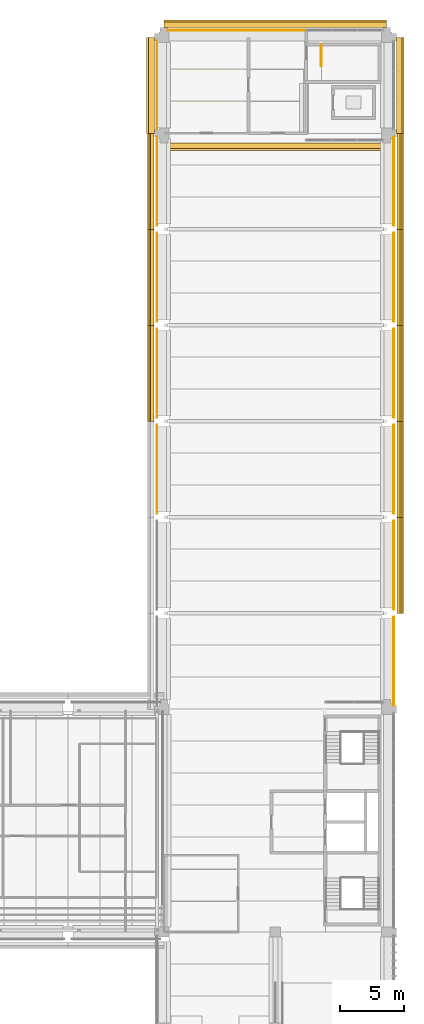
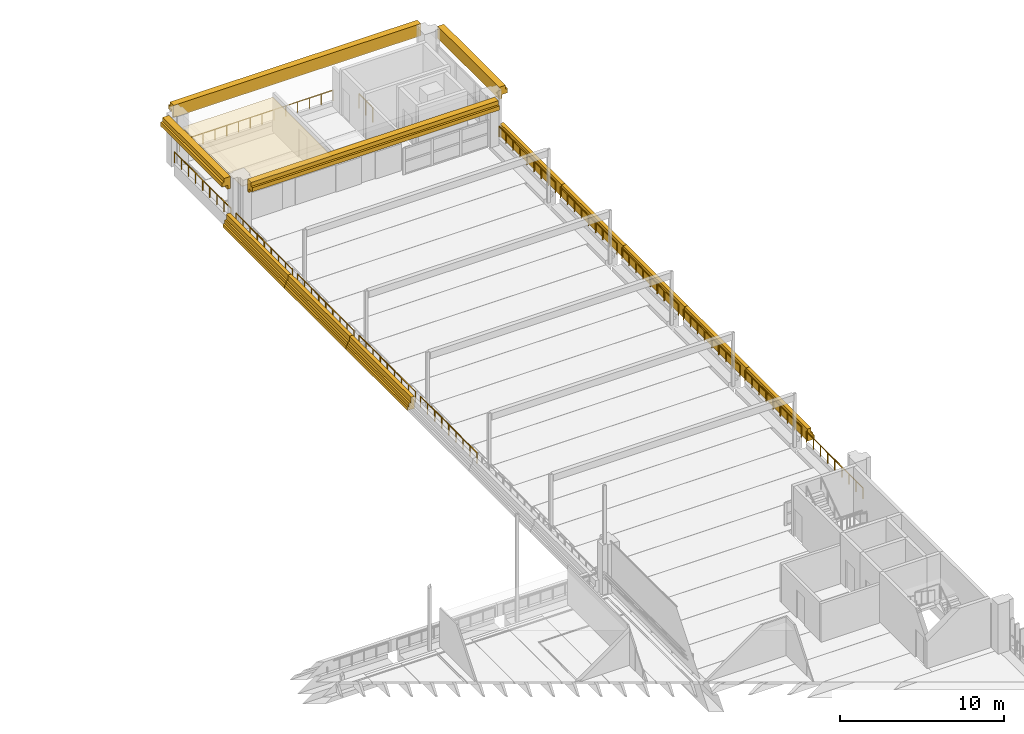
# One storey, part 58 of 62: 13 coverings, 13 railings.
"""IFC4 building model written with IfcOpenShell, lengths in metres."""

from ifc_helpers import new_model, si_unit, direction, frame, origin, origin_2d, place, context, subcontext, project, spatial, polyline, circle, outline, extrude, material, layer, layer_set, type_object, element, save


model = new_model("IFC4")

# Units and contexts
model_context = context("Model", 3, precision=1e-05, world=origin(), true_north=direction((0.0, 1.0)))
body_context = subcontext(model_context, "Body", "Model", "MODEL_VIEW")
ifc_project = project(units=[si_unit("LENGTHUNIT", "METRE"), si_unit("AREAUNIT", "SQUARE_METRE"), si_unit("VOLUMEUNIT", "CUBIC_METRE"), si_unit("PLANEANGLEUNIT", "RADIAN"), si_unit("MASSUNIT", "GRAM", prefix="KILO")], contexts=[model_context])

# Site, building, storey
site_placement = place(None, origin())
site = spatial("IfcSite", under=ifc_project, at=site_placement, CompositionType="ELEMENT")
building_placement = place(site_placement, origin())
building = spatial("IfcBuilding", under=site, at=building_placement, Name="Cour d'Honneur Mobility Palace", CompositionType="ELEMENT")
storey_placement = place(building_placement, frame((0.0, 0.0, 19.300048828125)))
storey = spatial("IfcBuildingStorey", under=building, at=storey_placement, Name="L05", CompositionType="ELEMENT", Elevation=19.300048828125)

# Railings
ifc_material_1 = material(Name="Painted steel", Category="steel")
railing_type_1 = type_object("IfcRailingType", Name="Balustrade", PredefinedType="BALUSTRADE", material=ifc_material_1)
for number, where, name in (
    (1, (162.85009765625, 62.699951171875, 0.300048828125), "Balustrade BAL-293"),
    (2, (162.85009765625, 70.199951171875, 0.300048828125), "Balustrade BAL-294"),
    (3, (162.85009765625, 77.699951171875, 0.300048828125), "Balustrade BAL-295"),
    (4, (162.85009765625, 85.199951171875, 0.300048828125), "Balustrade BAL-296"),
    (5, (162.85009765625, 92.699951171875, 0.300048828125), "Balustrade BAL-297"),
    (6, (162.85009765625, 100.199951171875, 0.300048828125), "Balustrade BAL-298"),
):
    element("IfcRailing", number, at=place(storey_placement, frame(where)), inside=storey, type_object=railing_type_1, Name=name, PredefinedType="BALUSTRADE", context=body_context, shape_type="SweptSolid", body=[
        extrude(circle(Radius=0.02392578125, at=origin_2d()), frame((0.0, 0.0, 0.77587890625), z_axis=(0.0, 1.0, 0.0), x_axis=(-1.0, 0.0, 0.0)), (0.0, 0.0, 1.0), 6.900146484375),
        extrude(circle(Radius=0.02099609375, at=origin_2d()), origin(), (0.0, 0.0, 1.0), 0.751953125),
        extrude(circle(Radius=0.02099609375, at=origin_2d()), frame((0.0, 0.862548828125, 0.0)), (0.0, 0.0, 1.0), 0.751953125),
        extrude(circle(Radius=0.02099609375, at=origin_2d()), frame((0.0, 1.72509765625, 0.0)), (0.0, 0.0, 1.0), 0.751953125),
        extrude(circle(Radius=0.02099609375, at=origin_2d()), frame((0.0, 2.587646484375, 0.0)), (0.0, 0.0, 1.0), 0.751953125),
        extrude(circle(Radius=0.02099609375, at=origin_2d()), frame((0.0, 3.4501953125, 0.0)), (0.0, 0.0, 1.0), 0.751953125),
        extrude(circle(Radius=0.02099609375, at=origin_2d()), frame((0.0, 4.3125, 0.0)), (0.0, 0.0, 1.0), 0.751953125),
        extrude(circle(Radius=0.02099609375, at=origin_2d()), frame((0.0, 5.175048828125, 0.0)), (0.0, 0.0, 1.0), 0.751953125),
        extrude(circle(Radius=0.02099609375, at=origin_2d()), frame((0.0, 6.03759765625, 0.0)), (0.0, 0.0, 1.0), 0.751953125),
        extrude(circle(Radius=0.02099609375, at=origin_2d()), frame((0.0, 6.900146484375, 0.0)), (0.0, 0.0, 1.0), 0.751953125),
    ])
railing_1_placement = place(storey_placement, frame((156.0, 115.449951171875, 0.300048828125)))
element("IfcRailing", 7, at=railing_1_placement, inside=storey, type_object=railing_type_1, Name="Balustrade BAL-299", PredefinedType="BALUSTRADE", context=body_context, shape_type="SweptSolid", body=[
    extrude(circle(Radius=0.02392578125, at=origin_2d()), frame((0.0, 0.0, 0.77587890625), z_axis=(-1.0, 0.0, 0.0), x_axis=(0.0, -1.0, 0.0)), (0.0, 0.0, 1.0), 10.800048828125),
    extrude(circle(Radius=0.02099609375, at=origin_2d()), origin(), (0.0, 0.0, 1.0), 0.751953125),
    extrude(circle(Radius=0.02099609375, at=origin_2d()), frame((-0.830810546875, 0.0, 0.0)), (0.0, 0.0, 1.0), 0.751953125),
    extrude(circle(Radius=0.02099609375, at=origin_2d()), frame((-1.66162109375, 0.0, 0.0)), (0.0, 0.0, 1.0), 0.751953125),
    extrude(circle(Radius=0.02099609375, at=origin_2d()), frame((-2.492431640625, 0.0, 0.0)), (0.0, 0.0, 1.0), 0.751953125),
    extrude(circle(Radius=0.02099609375, at=origin_2d()), frame((-3.322998046875, 0.0, 0.0)), (0.0, 0.0, 1.0), 0.751953125),
    extrude(circle(Radius=0.02099609375, at=origin_2d()), frame((-4.15380859375, 0.0, 0.0)), (0.0, 0.0, 1.0), 0.751953125),
    extrude(circle(Radius=0.02099609375, at=origin_2d()), frame((-4.984619140625, 0.0, 0.0)), (0.0, 0.0, 1.0), 0.751953125),
    extrude(circle(Radius=0.02099609375, at=origin_2d()), frame((-5.8154296875, 0.0, 0.0)), (0.0, 0.0, 1.0), 0.751953125),
    extrude(circle(Radius=0.02099609375, at=origin_2d()), frame((-6.646240234375, 0.0, 0.0)), (0.0, 0.0, 1.0), 0.751953125),
    extrude(circle(Radius=0.02099609375, at=origin_2d()), frame((-7.47705078125, 0.0, 0.0)), (0.0, 0.0, 1.0), 0.751953125),
    extrude(circle(Radius=0.02099609375, at=origin_2d()), frame((-8.3076171875, 0.0, 0.0)), (0.0, 0.0, 1.0), 0.751953125),
    extrude(circle(Radius=0.02099609375, at=origin_2d()), frame((-9.138427734375, 0.0, 0.0)), (0.0, 0.0, 1.0), 0.751953125),
    extrude(circle(Radius=0.02099609375, at=origin_2d()), frame((-9.96923828125, 0.0, 0.0)), (0.0, 0.0, 1.0), 0.751953125),
    extrude(circle(Radius=0.02099609375, at=origin_2d()), frame((-10.800048828125, 0.0, 0.0)), (0.0, 0.0, 1.0), 0.751953125),
])
for number, where, name in (
    (8, (144.35009765625, 114.60009765625, 0.300048828125), "Balustrade BAL-300"),
    (9, (144.35009765625, 107.10009765625, 0.300048828125), "Balustrade BAL-301"),
    (10, (144.35009765625, 99.60009765625, 0.300048828125), "Balustrade BAL-302"),
    (11, (144.35009765625, 92.10009765625, 0.300048828125), "Balustrade BAL-303"),
    (12, (144.35009765625, 84.60009765625, 0.300048828125), "Balustrade BAL-304"),
):
    element("IfcRailing", number, at=place(storey_placement, frame(where)), inside=storey, type_object=railing_type_1, Name=name, PredefinedType="BALUSTRADE", context=body_context, shape_type="SweptSolid", body=[
        extrude(circle(Radius=0.02392578125, at=origin_2d()), frame((0.0, 0.0, 0.77587890625), z_axis=(0.0, -1.0, 0.0), x_axis=(1.0, 0.0, 0.0)), (0.0, 0.0, 1.0), 6.900146484375),
        extrude(circle(Radius=0.02099609375, at=origin_2d()), origin(), (0.0, 0.0, 1.0), 0.751953125),
        extrude(circle(Radius=0.02099609375, at=origin_2d()), frame((0.0, -0.862548828125, 0.0)), (0.0, 0.0, 1.0), 0.751953125),
        extrude(circle(Radius=0.02099609375, at=origin_2d()), frame((0.0, -1.72509765625, 0.0)), (0.0, 0.0, 1.0), 0.751953125),
        extrude(circle(Radius=0.02099609375, at=origin_2d()), frame((0.0, -2.587646484375, 0.0)), (0.0, 0.0, 1.0), 0.751953125),
        extrude(circle(Radius=0.02099609375, at=origin_2d()), frame((0.0, -3.4501953125, 0.0)), (0.0, 0.0, 1.0), 0.751953125),
        extrude(circle(Radius=0.02099609375, at=origin_2d()), frame((0.0, -4.3125, 0.0)), (0.0, 0.0, 1.0), 0.751953125),
        extrude(circle(Radius=0.02099609375, at=origin_2d()), frame((0.0, -5.175048828125, 0.0)), (0.0, 0.0, 1.0), 0.751953125),
        extrude(circle(Radius=0.02099609375, at=origin_2d()), frame((0.0, -6.03759765625, 0.0)), (0.0, 0.0, 1.0), 0.751953125),
        extrude(circle(Radius=0.02099609375, at=origin_2d()), frame((0.0, -6.900146484375, 0.0)), (0.0, 0.0, 1.0), 0.751953125),
    ])

# Coverings
ifc_material_2 = material(Name="Cast limestone", Category="masonry")
ifc_layer_1 = layer(ifc_material_2, 0.5)
ifc_layer_set_1 = layer_set([ifc_layer_1], Name="Cast limestone")
covering_type_1 = type_object("IfcCoveringType", Name="Crown cornice", PredefinedType="CLADDING", material=ifc_layer_set_1)
for number, where, z_axis, x_axis, name in (
    (13, (163.10009765625, 69.89990234375, 0.099853515625), (0.0, -1.0, 0.0), (1.0, 0.0, 0.0), "Crown cornice CN-14"),
    (14, (163.10009765625, 77.39990234375, 0.099853515625), (0.0, -1.0, 0.0), (1.0, 0.0, 0.0), "Crown cornice CN-15"),
    (15, (163.10009765625, 84.89990234375, 0.099853515625), (0.0, -1.0, 0.0), (1.0, 0.0, 0.0), "Crown cornice CN-16"),
    (16, (163.10009765625, 92.39990234375, 0.099853515625), (0.0, -1.0, 0.0), (1.0, 0.0, 0.0), "Crown cornice CN-17"),
    (17, (163.10009765625, 99.89990234375, 0.099853515625), (0.0, -1.0, 0.0), (1.0, 0.0, 0.0), "Crown cornice CN-18"),
):
    element("IfcCovering", number, at=place(storey_placement, frame(where, z_axis=z_axis, x_axis=x_axis)), inside=storey, type_object=covering_type_1, Name=name, PredefinedType="CLADDING", context=body_context, shape_type="SweptSolid", body=[
        extrude(outline(polyline([(0.0, 0.0), (0.5, 0.0), (0.5, 0.25), (0.3798828125, 0.25), (0.3798828125, 0.5), (0.25, 0.5), (0.25, 0.900146484375), (0.0, 0.900146484375), (0.0, 0.0)])), origin(), (0.0, 0.0, -1.0), 7.5),
    ])
for number, where, z_axis, x_axis, name in (
    (18, (144.10009765625, 107.39990234375, 0.099853515625), (0.0, 1.0, 0.0), (-1.0, 0.0, 0.0), "Crown cornice CN-19"),
    (19, (144.10009765625, 99.89990234375, 0.099853515625), (0.0, 1.0, 0.0), (-1.0, 0.0, 0.0), "Crown cornice CN-20"),
    (20, (144.10009765625, 92.39990234375, 0.099853515625), (0.0, 1.0, 0.0), (-1.0, 0.0, 0.0), "Crown cornice CN-21"),
):
    element("IfcCovering", number, at=place(storey_placement, frame(where, z_axis=z_axis, x_axis=x_axis)), inside=storey, type_object=covering_type_1, Name=name, PredefinedType="CLADDING", context=body_context, shape_type="SweptSolid", body=[
        extrude(outline(polyline([(0.0, 0.0), (0.5, 0.0), (0.5, 0.25), (0.380126953125, 0.25), (0.380126953125, 0.5), (0.25, 0.5), (0.25, 0.900146484375), (0.0, 0.900146484375), (0.0, 0.0)])), origin(), (0.0, 0.0, -1.0), 7.5),
    ])
covering_1_placement = place(storey_placement, frame((162.300048828125, 115.64990234375, 2.800048828125), z_axis=(1.0, 0.0, 0.0), x_axis=(0.0, 1.0, 0.0)))
element("IfcCovering", 21, at=covering_1_placement, inside=storey, type_object=covering_type_1, Name="Crown cornice CN-60", PredefinedType="CLADDING", context=body_context, shape_type="SweptSolid", body=[
    extrude(outline(polyline([(0.0, 0.0), (0.2001953125, 0.0), (0.2001953125, 0.2998046875), (0.60009765625, 0.2998046875), (0.60009765625, 0.599853515625), (0.4501953125, 0.599853515625), (0.4501953125, 0.89990234375), (0.0, 0.89990234375), (0.0, 0.0)])), origin(), (0.0, 0.0, -1.0), 17.39990234375),
])
covering_2_placement = place(storey_placement, frame((144.14990234375, 114.89990234375, 2.800048828125), z_axis=(0.0, 1.0, 0.0), x_axis=(-1.0, 0.0, 0.0)))
element("IfcCovering", 22, at=covering_2_placement, inside=storey, type_object=covering_type_1, Name="Crown cornice CN-61", PredefinedType="CLADDING", context=body_context, shape_type="SweptSolid", body=[
    extrude(outline(polyline([(0.0, 0.0), (0.199951171875, 0.0), (0.199951171875, 0.2998046875), (0.599853515625, 0.2998046875), (0.599853515625, 0.599853515625), (0.449951171875, 0.599853515625), (0.449951171875, 0.89990234375), (0.0, 0.89990234375), (0.0, 0.0)])), origin(), (0.0, 0.0, -1.0), 7.5),
])
covering_3_placement = place(storey_placement, frame((144.89990234375, 106.64990234375, 2.800048828125), z_axis=(-1.0, 0.0, 0.0), x_axis=(0.0, -1.0, 0.0)))
element("IfcCovering", 23, at=covering_3_placement, inside=storey, type_object=covering_type_1, Name="Crown cornice CN-62", PredefinedType="CLADDING", context=body_context, shape_type="SweptSolid", body=[
    extrude(outline(polyline([(0.0, 0.0), (0.199951171875, 0.0), (0.199951171875, 0.2998046875), (0.599853515625, 0.2998046875), (0.599853515625, 0.599853515625), (0.449951171875, 0.599853515625), (0.449951171875, 0.89990234375), (0.0, 0.89990234375), (0.0, 0.0)])), origin(), (0.0, 0.0, -1.0), 17.39990234375),
])
covering_4_placement = place(storey_placement, frame((163.050048828125, 107.39990234375, 2.800048828125), z_axis=(0.0, -1.0, 0.0), x_axis=(1.0, 0.0, 0.0)))
element("IfcCovering", 24, at=covering_4_placement, inside=storey, type_object=covering_type_1, Name="Crown cornice CN-63", PredefinedType="CLADDING", context=body_context, shape_type="SweptSolid", body=[
    extrude(outline(polyline([(0.0, 0.0), (0.199951171875, 0.0), (0.199951171875, 0.2998046875), (0.599853515625, 0.2998046875), (0.599853515625, 0.599853515625), (0.449951171875, 0.599853515625), (0.449951171875, 0.89990234375), (0.0, 0.89990234375), (0.0, 0.0)])), origin(), (0.0, 0.0, -1.0), 7.5),
])

# Railing
ifc_material_3 = material(Name="Painted steel", Category="steel")
railing_type_2 = type_object("IfcRailingType", Name="Guardrail 1100", PredefinedType="GUARDRAIL", material=ifc_material_3)
railing_2_placement = place(storey_placement, frame((157.179931640625, 112.64990234375, 0.0)))
element("IfcRailing", 25, at=railing_2_placement, inside=storey, type_object=railing_type_2, Name="Guard ST-NE1", PredefinedType="GUARDRAIL", context=body_context, shape_type="SweptSolid", body=[
    extrude(circle(Radius=0.02490234375, at=origin_2d()), frame((0.0, 0.0, 1.0751953125), z_axis=(0.0, 1.0, 0.0), x_axis=(-1.0, 0.0, 0.0)), (0.0, 0.0, 1.0), 1.675048828125),
    extrude(circle(Radius=0.02099609375, at=origin_2d()), origin(), (0.0, 0.0, 1.0), 1.050048828125),
    extrude(circle(Radius=0.02099609375, at=origin_2d()), frame((0.0, 0.83740234375, 0.0)), (0.0, 0.0, 1.0), 1.050048828125),
    extrude(circle(Radius=0.02099609375, at=origin_2d()), frame((0.0, 1.675048828125, 0.0)), (0.0, 0.0, 1.0), 1.050048828125),
])

# Covering
ifc_material_4 = material(Name="Suspended ceiling")
ifc_layer_2 = layer(ifc_material_4, 0.030029296875)
ifc_layer_set_2 = layer_set([ifc_layer_2], Name="Suspended ceiling")
covering_type_2 = type_object("IfcCoveringType", Name="Suspended ceiling", PredefinedType="CEILING", material=ifc_layer_set_2)
covering_5_placement = place(storey_placement, frame((0.0, 0.0, 2.550048828125)))
element("IfcCovering", 26, at=covering_5_placement, inside=storey, type_object=covering_type_2, Name="Ceiling Service Terrace Lounge", PredefinedType="CEILING", context=body_context, shape_type="SweptSolid", body=[
    extrude(outline(polyline([(151.3798828125, 107.52001953125), (145.02001953125, 107.52001953125), (145.02001953125, 114.780029296875), (151.3798828125, 114.780029296875), (151.3798828125, 107.52001953125)])), origin(), (0.0, 0.0, 1.0), 0.02978515625),
])

save(model, "model.ifc")
